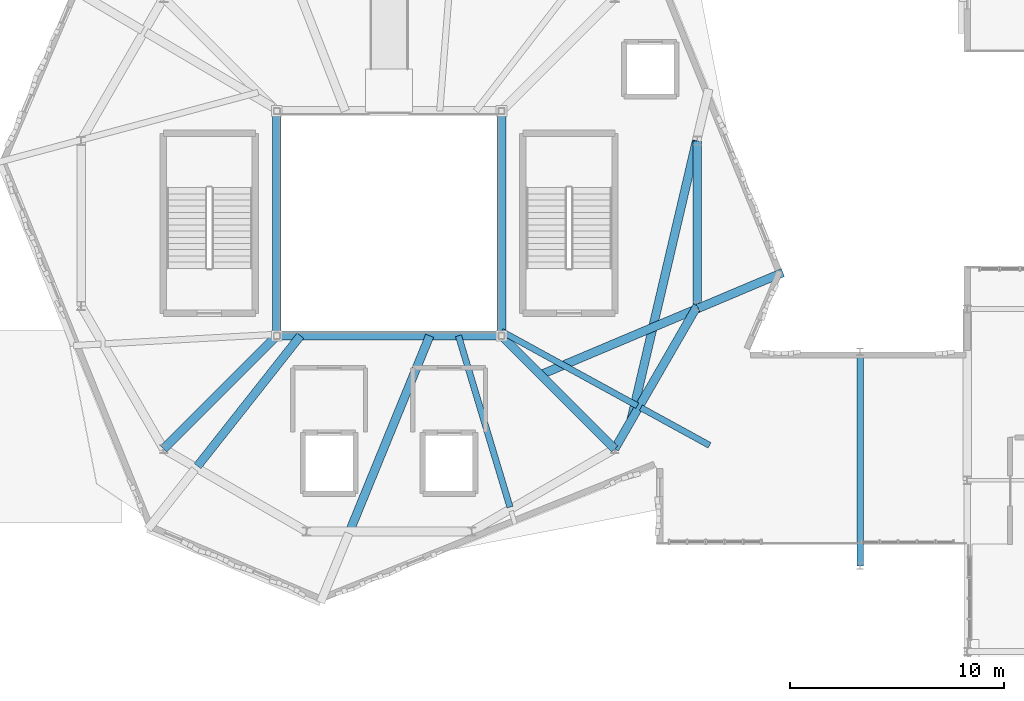
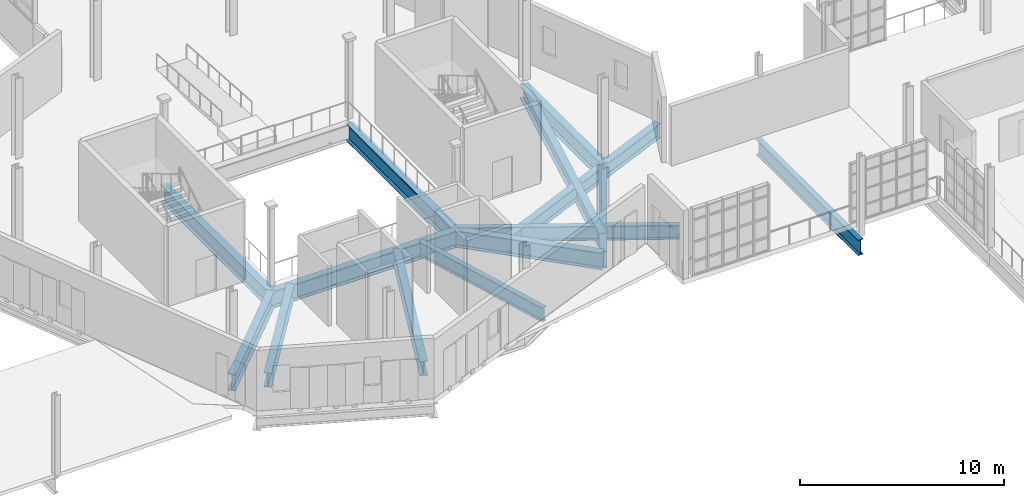
# One storey, part 22 of 122: 16 beams.
"""IFC4 building model written with IfcOpenShell, lengths in metres."""

import ifcopenshell
import ifcopenshell.guid

model = None  # the IFC model being written
_history = None  # IfcOwnerHistory: only IFC2X3 demands one
_inside = {}  # id of a spatial element -> (the spatial element, [elements in it])
_under = {}  # id of a project, library or spatial element -> (it, [spatial elements below it])
_declared = {}  # id of a project -> (the project, [libraries it declares])
_typed = {}  # id of a type object -> (the type object, [elements of that type])
_made_of = {}  # id of a material, layer set ... -> (it, [elements and type objects made of it])


def new_model(schema):
    """Start an empty IFC model of exactly this schema.

    Asked for "IFC4X3", IfcOpenShell would pick the latest addendum, in which some entities
    have other attributes; the version numbers below select the first issue.
    IFC2X3 requires an IfcOwnerHistory on every rooted entity: one is made here for all.
    """
    global model, _history
    if schema == "IFC4X3":
        model = ifcopenshell.file(schema_version=(4, 3, 0, 0))
    else:
        model = ifcopenshell.file(schema=schema)
    _inside.clear()
    _under.clear()
    _declared.clear()
    _typed.clear()
    _made_of.clear()
    _history = None
    if model.schema == "IFC2X3":
        org = make("IfcOrganization", Name="unknown")
        user = make(
            "IfcPersonAndOrganization",
            ThePerson=make("IfcPerson", FamilyName="unknown"),
            TheOrganization=org,
        )
        app = make(
            "IfcApplication",
            ApplicationDeveloper=org,
            Version="unknown",
            ApplicationFullName="unknown",
            ApplicationIdentifier="unknown",
        )
        _history = make(
            "IfcOwnerHistory",
            OwningUser=user,
            OwningApplication=app,
            ChangeAction="ADDED",
            CreationDate=0,
        )
    return model


def make(cls, **values):
    """One entity of the class cls with the attributes given. An attribute that is None is left unset."""
    return model.create_entity(
        cls, **{name: value for name, value in values.items() if value is not None}
    )


def rooted(cls, **values):
    """An entity with a GlobalId (a new one), such as an element, a storey or a relation."""
    return make(cls, GlobalId=ifcopenshell.guid.new(), OwnerHistory=_history, **values)


def si_unit(unit_type, name, prefix=None):
    """IfcSIUnit, for example si_unit("LENGTHUNIT", "METRE", prefix="MILLI")."""
    return make("IfcSIUnit", UnitType=unit_type, Prefix=prefix, Name=name)


def assignment(units):
    """IfcUnitAssignment: the units of a project."""
    return None if units is None else make("IfcUnitAssignment", Units=units)


def point(xyz):
    """IfcCartesianPoint."""
    return None if xyz is None else make("IfcCartesianPoint", Coordinates=xyz)


def direction(xyz):
    """IfcDirection."""
    return None if xyz is None else make("IfcDirection", DirectionRatios=xyz)


def frame(location, z_axis=None, x_axis=None):
    """IfcAxis2Placement3D, a coordinate frame: its origin and axes. An axis left out is left unset."""
    return make(
        "IfcAxis2Placement3D",
        Location=point(location),
        Axis=direction(z_axis),
        RefDirection=direction(x_axis),
    )


def frame_2d(location, x_axis=None):
    """IfcAxis2Placement2D, a coordinate frame in the plane: its origin and x axis."""
    return make(
        "IfcAxis2Placement2D", Location=point(location), RefDirection=direction(x_axis)
    )


def origin():
    """The frame at (0, 0, 0) with its axes left unset."""
    return frame((0.0, 0.0, 0.0))


def origin_2d():
    """The frame at (0, 0) in the plane with its x axis left unset."""
    return frame_2d((0.0, 0.0))


def place(relative_to, where):
    """IfcLocalPlacement: puts the frame where relative to a parent placement (None: the world)."""
    return make(
        "IfcLocalPlacement", PlacementRelTo=relative_to, RelativePlacement=where
    )


def context(
    kind, dimensions, precision=None, world=None, true_north=None, identifier=None
):
    """IfcGeometricRepresentationContext, for example the 3D "Model" context."""
    return make(
        "IfcGeometricRepresentationContext",
        ContextIdentifier=identifier,
        ContextType=kind,
        CoordinateSpaceDimension=dimensions,
        Precision=precision,
        WorldCoordinateSystem=world,
        TrueNorth=true_north,
    )


def subcontext(parent, identifier, kind, view, scale=None):
    """IfcGeometricRepresentationSubContext, for example "Body" below "Model"."""
    return make(
        "IfcGeometricRepresentationSubContext",
        ContextIdentifier=identifier,
        ContextType=kind,
        ParentContext=parent,
        TargetScale=scale,
        TargetView=view,
    )


def project(units=None, contexts=None):
    """IfcProject with its units and contexts."""
    return rooted(
        "IfcProject",
        Name="project",
        RepresentationContexts=contexts,
        UnitsInContext=assignment(units),
    )


def spatial(cls, under=None, at=None, **own):
    """A site, building, storey or space (cls), placed at a placement, below another one or the project."""
    s = rooted(cls, ObjectPlacement=at, **own)
    if under is not None:
        _under.setdefault(under.id(), (under, []))[1].append(s)
    return s


def profile(cls, at=None, kind="AREA", **sizes):
    """A parametric profile (cls). Its sizes go by their IFC names, for example OverallWidth=200.0."""
    return make(cls, ProfileType=kind, Position=at, **sizes)


def i_section(**sizes):
    """IfcIShapeProfileDef."""
    return profile("IfcIShapeProfileDef", **sizes)


def extrude(swept, where, along, depth):
    """IfcExtrudedAreaSolid: the profile swept, set in the frame where, extruded along a direction by depth."""
    return make(
        "IfcExtrudedAreaSolid",
        SweptArea=swept,
        Position=where,
        ExtrudedDirection=direction(along),
        Depth=depth,
    )


def shape(context_of_items, identifier, shape_type, items):
    """IfcShapeRepresentation: the items that make up one representation, for example the "Body"."""
    return make(
        "IfcShapeRepresentation",
        ContextOfItems=context_of_items,
        RepresentationIdentifier=identifier,
        RepresentationType=shape_type,
        Items=items,
    )


def material(Name=None, Category=None):
    """IfcMaterial."""
    return make("IfcMaterial", Name=Name, Category=Category)


def material_profile(
    of_material, cross_section, Name=None, Category=None, Priority=None
):
    """IfcMaterialProfile: a cross section and its material."""
    return make(
        "IfcMaterialProfile",
        Name=Name,
        Material=of_material,
        Profile=cross_section,
        Priority=Priority,
        Category=Category,
    )


def profile_set(profiles, Name=None, composite=None):
    """IfcMaterialProfileSet."""
    return make(
        "IfcMaterialProfileSet",
        Name=Name,
        MaterialProfiles=profiles,
        CompositeProfile=composite,
    )


def made_of(thing, what):
    """Note that an element or type object is made of a material, layer set ...; save() writes the relation."""
    if what is not None:
        _made_of.setdefault(what.id(), (what, []))[1].append(thing)
    return thing


def type_object(cls, material=None, **own):
    """A type object (cls), such as IfcWallType, which elements share."""
    return made_of(rooted(cls, **own), material)


def element(
    cls,
    number,
    at=None,
    inside=None,
    cuts=None,
    type_object=None,
    material=None,
    context=None,
    identifier="Body",
    shape_type=None,
    held_by="IfcProductDefinitionShape",
    body=None,
    shapes=None,
    **own,
):
    """One element of the class cls, such as IfcWall. Its Tag is "e" and its number.

    at: its placement. inside: the storey or other place that contains it. cuts: it is an
    opening in that element (IfcRelVoidsElement). A single representation is given by context,
    identifier, shape_type and body (its items); several are given by shapes. held_by: the class
    of the entity that holds the representations. save() writes the other relations.
    """
    e = rooted(cls, Tag="e%d" % number, ObjectPlacement=at, **own)
    if body is not None:
        shapes = [shape(context, identifier, shape_type, body)]
    if shapes is not None:
        e.Representation = make(held_by, Representations=shapes)
    if inside is not None:
        _inside.setdefault(inside.id(), (inside, []))[1].append(e)
    if cuts is not None:
        rooted(
            "IfcRelVoidsElement", RelatingBuildingElement=cuts, RelatedOpeningElement=e
        )
    if type_object is not None:
        _typed.setdefault(type_object.id(), (type_object, []))[1].append(e)
    return made_of(e, material)


def aggregate(whole, parts):
    """IfcRelAggregates: a whole, such as a stair, and the parts it consists of."""
    return rooted("IfcRelAggregates", RelatingObject=whole, RelatedObjects=parts)


def save(model, path):
    """Write the relations noted so far, then the file.

    IfcRelAggregates (storeys below a building ...), IfcRelContainedInSpatialStructure (elements
    in a storey), IfcRelDefinesByType, IfcRelAssociatesMaterial and IfcRelDeclares: one each for
    every whole, place, type object, material and project.
    """
    for whole, parts in _under.values():
        aggregate(whole, parts)
    for where, things in _inside.values():
        rooted(
            "IfcRelContainedInSpatialStructure",
            RelatedElements=things,
            RelatingStructure=where,
        )
    for kind, things in _typed.values():
        rooted("IfcRelDefinesByType", RelatedObjects=things, RelatingType=kind)
    for what, things in _made_of.values():
        rooted("IfcRelAssociatesMaterial", RelatedObjects=things, RelatingMaterial=what)
    for by, libraries in _declared.values():
        rooted("IfcRelDeclares", RelatingContext=by, RelatedDefinitions=libraries)
    model.write(path)


model = new_model("IFC4")

# Units and contexts
model_context = context("Model", 3, precision=1e-05, world=origin(), true_north=direction((0.0, 1.0)))
body_context = subcontext(model_context, "Body", "Model", "MODEL_VIEW")
ifc_project = project(units=[si_unit("LENGTHUNIT", "METRE"), si_unit("AREAUNIT", "SQUARE_METRE"), si_unit("VOLUMEUNIT", "CUBIC_METRE"), si_unit("PLANEANGLEUNIT", "RADIAN"), si_unit("MASSUNIT", "GRAM", prefix="KILO"), si_unit("THERMODYNAMICTEMPERATUREUNIT", "KELVIN"), si_unit("POWERUNIT", "WATT")], contexts=[model_context])

# Site, building, storey
site_placement = place(None, origin())
site = spatial("IfcSite", under=ifc_project, at=site_placement, CompositionType="ELEMENT")
building_placement = place(site_placement, origin())
building = spatial("IfcBuilding", under=site, at=building_placement, Name="Zelmaris Science Centre", CompositionType="ELEMENT")
storey_placement = place(building_placement, frame((0.0, 0.0, 10.800048828125)))
storey = spatial("IfcBuildingStorey", under=building, at=storey_placement, Name="L02", CompositionType="ELEMENT", Elevation=10.800048828125)

# Beams
ifc_material = material(Name="Steel ASTM A992 Grade 50", Category="steel")
ifc_material_profile_1 = material_profile(ifc_material, i_section(OverallWidth=0.40087890625, OverallDepth=0.85595703125, WebThickness=0.018310546875, FlangeThickness=0.029296875, FilletRadius=0.02001953125, at=origin_2d()), Name="W33X201")
ifc_profile_set_1 = profile_set([ifc_material_profile_1], Name="Steel ASTM A992 Grade 50")
beam_type_1 = type_object("IfcBeamType", Name="Beam G-05 W33X201", PredefinedType="BEAM", material=ifc_profile_set_1)
beam_1_placement = place(storey_placement, frame((88.073974609375, 28.926025390625, -0.72802734375), z_axis=(0.921323479953, 0.388796920367, 0.0), x_axis=(-0.388796920367, 0.921323479953, 0.0)))
element("IfcBeam", 1, at=beam_1_placement, inside=storey, type_object=beam_type_1, Name="L02 Overhang back-span girder 4", PredefinedType="BEAM", context=body_context, shape_type="SweptSolid", body=[
    extrude(i_section(OverallWidth=0.40087890625, OverallDepth=0.85595703125, WebThickness=0.018310546875, FlangeThickness=0.029296875, FilletRadius=0.02001953125, at=origin_2d()), origin(), (0.0, 0.0, 1.0), 7.99365234375),
])
beam_2_placement = place(storey_placement, frame((95.438720703125, 32.033935546875, -0.72802734375), z_axis=(0.921328820684, 0.388784264313, 0.0), x_axis=(-0.388784264313, 0.921328820684, 0.0)))
element("IfcBeam", 2, at=beam_2_placement, inside=storey, type_object=beam_type_1, Name="L02 Radial overhang girder 4", PredefinedType="BEAM", context=body_context, shape_type="SweptSolid", body=[
    extrude(i_section(OverallWidth=0.40087890625, OverallDepth=0.85595703125, WebThickness=0.018310546875, FlangeThickness=0.029296875, FilletRadius=0.02001953125, at=origin_2d()), origin(), (0.0, 0.0, 1.0), 4.29150390625),
])
beam_3_placement = place(storey_placement, frame((76.85546875, 30.75, -0.72802734375), z_axis=(-0.619633068196, -0.7848916236, 0.0), x_axis=(0.7848916236, -0.619633068196, 0.0)))
element("IfcBeam", 3, at=beam_3_placement, inside=storey, type_object=beam_type_1, Name="L02 Overhang back-span girder 12", PredefinedType="BEAM", context=body_context, shape_type="SweptSolid", body=[
    extrude(i_section(OverallWidth=0.40087890625, OverallDepth=0.85595703125, WebThickness=0.018310546875, FlangeThickness=0.029296875, FilletRadius=0.02001953125, at=origin_2d()), origin(), (0.0, 0.0, 1.0), 7.760498046875),
])
ifc_material_profile_2 = material_profile(ifc_material, i_section(OverallWidth=0.294921875, OverallDepth=0.85107421875, WebThickness=0.01611328125, FlangeThickness=0.02685546875, FilletRadius=0.02001953125, at=origin_2d()), Name="W33X152")
ifc_profile_set_2 = profile_set([ifc_material_profile_2], Name="Steel ASTM A992 Grade 50")
beam_type_2 = type_object("IfcBeamType", Name="Beam G-06 W33X152", PredefinedType="BEAM", material=ifc_profile_set_2)
beam_4_placement = place(storey_placement, frame((84.239013671875, 30.75, -0.7255859375), z_axis=(0.287787405847, -0.957694319204, 0.0), x_axis=(0.957694319204, 0.287787405847, 0.0)))
element("IfcBeam", 4, at=beam_4_placement, inside=storey, type_object=beam_type_2, Name="L02 Overhang back-span girder 2", PredefinedType="BEAM", context=body_context, shape_type="SweptSolid", body=[
    extrude(i_section(OverallWidth=0.294921875, OverallDepth=0.85107421875, WebThickness=0.01611328125, FlangeThickness=0.02685546875, FilletRadius=0.02001953125, at=origin_2d()), origin(), (0.0, 0.0, 1.0), 8.35693359375),
])
ifc_material_profile_3 = material_profile(ifc_material, i_section(OverallWidth=0.40087890625, OverallDepth=1.0009765625, WebThickness=0.01904296875, FlangeThickness=0.0361328125, FilletRadius=0.02490234375, at=origin_2d()), Name="W40X249")
ifc_profile_set_3 = profile_set([ifc_material_profile_3], Name="Steel ASTM A992 Grade 50")
beam_type_3 = type_object("IfcBeamType", Name="Beam G-22 W40X249", PredefinedType="BEAM", material=ifc_profile_set_3)
for number, where, z_axis, x_axis, name in (
    (5, (91.535888671875, 25.464111328125, -0.800537109375), (0.500006504531, 0.866021648359, 0.0), (-0.866021648359, 0.500006504531, 0.0), "L02 Exhibition inner ring girder 11"),
    (6, (95.392333984375, 32.1435546875, -0.800537109375), (0.0, 1.0, 0.0), (-1.0, 0.0, 0.0), "L02 Exhibition inner ring girder 12"),
):
    element("IfcBeam", number, at=place(storey_placement, frame(where, z_axis=z_axis, x_axis=x_axis)), inside=storey, type_object=beam_type_3, Name=name, PredefinedType="BEAM", context=body_context, shape_type="SweptSolid", body=[
        extrude(i_section(OverallWidth=0.40087890625, OverallDepth=1.0009765625, WebThickness=0.01904296875, FlangeThickness=0.0361328125, FilletRadius=0.02490234375, at=origin_2d()), origin(), (0.0, 0.0, 1.0), 7.712890625),
    ])
for number, where, z_axis, x_axis, name in (
    (7, (75.75, 30.75, -0.800537109375), (1.0, 0.0, 0.0), (0.0, 1.0, 0.0), "L02 Atrium framing girder 1"),
    (8, (86.25, 30.75, -0.800537109375), (0.0, 1.0, 0.0), (-1.0, 0.0, 0.0), "L02 Atrium framing girder 2"),
    (9, (75.75, 41.25, -0.800537109375), (0.0, -1.0, 0.0), (1.0, 0.0, 0.0), "L02 Atrium framing girder 4"),
):
    element("IfcBeam", number, at=place(storey_placement, frame(where, z_axis=z_axis, x_axis=x_axis)), inside=storey, type_object=beam_type_3, Name=name, PredefinedType="BEAM", context=body_context, shape_type="SweptSolid", body=[
        extrude(i_section(OverallWidth=0.40087890625, OverallDepth=1.0009765625, WebThickness=0.01904296875, FlangeThickness=0.0361328125, FilletRadius=0.02490234375, at=origin_2d()), origin(), (0.0, 0.0, 1.0), 10.5),
    ])
for number, where, z_axis, x_axis, name in (
    (10, (75.75, 30.75, -0.800537109375), (-0.707106781187, -0.707106781187, 0.0), (0.707106781187, -0.707106781187, 0.0), "L02 Atrium diagonal header girder 1"),
    (11, (86.25, 30.75, -0.800537109375), (0.707106781187, -0.707106781187, 0.0), (0.707106781187, 0.707106781187, 0.0), "L02 Atrium diagonal header girder 2"),
):
    element("IfcBeam", number, at=place(storey_placement, frame(where, z_axis=z_axis, x_axis=x_axis)), inside=storey, type_object=beam_type_3, Name=name, PredefinedType="BEAM", context=body_context, shape_type="SweptSolid", body=[
        extrude(i_section(OverallWidth=0.40087890625, OverallDepth=1.0009765625, WebThickness=0.01904296875, FlangeThickness=0.0361328125, FilletRadius=0.02490234375, at=origin_2d()), origin(), (0.0, 0.0, 1.0), 7.475341796875),
    ])
ifc_material_profile_4 = material_profile(ifc_material, i_section(OverallWidth=0.31005859375, OverallDepth=0.931884765625, WebThickness=0.02099609375, FlangeThickness=0.034423828125, FilletRadius=0.02392578125, at=origin_2d()), Name="W36X210")
ifc_profile_set_4 = profile_set([ifc_material_profile_4], Name="Steel ASTM A992 Grade 50")
beam_type_4 = type_object("IfcBeamType", Name="Beam G-25 W36X210", PredefinedType="BEAM", material=ifc_profile_set_4)
beam_5_placement = place(storey_placement, frame((103.0, 20.0, -0.76611328125), z_axis=(0.0, 1.0, 0.0), x_axis=(-1.0, 0.0, 0.0)))
element("IfcBeam", 12, at=beam_5_placement, inside=storey, type_object=beam_type_4, Name="L02 North-south girder 510", PredefinedType="BEAM", context=body_context, shape_type="SweptSolid", body=[
    extrude(i_section(OverallWidth=0.31005859375, OverallDepth=0.931884765625, WebThickness=0.02099609375, FlangeThickness=0.034423828125, FilletRadius=0.02392578125, at=origin_2d()), origin(), (0.0, 0.0, 1.0), 10.0),
])
ifc_material_profile_5 = material_profile(ifc_material, i_section(OverallWidth=0.404052734375, OverallDepth=0.861083984375, WebThickness=0.019775390625, FlangeThickness=0.032470703125, FilletRadius=0.02001953125, at=origin_2d()), Name="W33X221")
ifc_profile_set_5 = profile_set([ifc_material_profile_5], Name="Steel ASTM A992 Grade 50")
beam_type_5 = type_object("IfcBeamType", Name="Beam G-28 W33X221", PredefinedType="BEAM", material=ifc_profile_set_5)
beam_6_placement = place(storey_placement, frame((82.89453125, 30.75, -0.73046875), z_axis=(-0.37882619759, -0.925467834136, 0.0), x_axis=(0.925467834136, -0.37882619759, 0.0)))
element("IfcBeam", 13, at=beam_6_placement, inside=storey, type_object=beam_type_5, Name="L02 Overhang back-span girder 1", PredefinedType="BEAM", context=body_context, shape_type="SweptSolid", body=[
    extrude(i_section(OverallWidth=0.404052734375, OverallDepth=0.861083984375, WebThickness=0.019775390625, FlangeThickness=0.032470703125, FilletRadius=0.02001953125, at=origin_2d()), origin(), (0.0, 0.0, 1.0), 9.78369140625),
])
beam_7_placement = place(storey_placement, frame((92.29638671875, 26.78125, -0.73046875), z_axis=(0.228139920585, 0.973628356528, 0.0), x_axis=(-0.973628356528, 0.228139920585, 0.0)))
element("IfcBeam", 14, at=beam_7_placement, inside=storey, type_object=beam_type_5, Name="L02 Overhang back-span girder 5", PredefinedType="BEAM", context=body_context, shape_type="SweptSolid", body=[
    extrude(i_section(OverallWidth=0.404052734375, OverallDepth=0.861083984375, WebThickness=0.019775390625, FlangeThickness=0.032470703125, FilletRadius=0.02001953125, at=origin_2d()), origin(), (0.0, 0.0, 1.0), 13.4365234375),
])
ifc_material_profile_6 = material_profile(ifc_material, i_section(OverallWidth=0.2919921875, OverallDepth=0.85888671875, WebThickness=0.01708984375, FlangeThickness=0.031005859375, FilletRadius=0.02001953125, at=origin_2d()), Name="W33X169")
ifc_profile_set_6 = profile_set([ifc_material_profile_6], Name="Steel ASTM A992 Grade 50")
beam_type_6 = type_object("IfcBeamType", Name="Beam G-29 W33X169", PredefinedType="BEAM", material=ifc_profile_set_6)
beam_8_placement = place(storey_placement, frame((86.25, 30.9541015625, -0.7294921875), z_axis=(0.877028175085, -0.480438945244, 0.0), x_axis=(0.480438945244, 0.877028175085, 0.0)))
element("IfcBeam", 15, at=beam_8_placement, inside=storey, type_object=beam_type_6, Name="L02 Overhang back-span girder 3", PredefinedType="BEAM", context=body_context, shape_type="SweptSolid", body=[
    extrude(i_section(OverallWidth=0.2919921875, OverallDepth=0.85888671875, WebThickness=0.01708984375, FlangeThickness=0.031005859375, FilletRadius=0.02001953125, at=origin_2d()), origin(), (0.0, 0.0, 1.0), 7.229736328125),
])
beam_9_placement = place(storey_placement, frame((92.757080078125, 27.3896484375, -0.7294921875), z_axis=(0.877027338462, -0.480440472473, 0.0), x_axis=(0.480440472473, 0.877027338462, 0.0)))
element("IfcBeam", 16, at=beam_9_placement, inside=storey, type_object=beam_type_6, Name="L02 Radial overhang girder 3", PredefinedType="BEAM", context=body_context, shape_type="SweptSolid", body=[
    extrude(i_section(OverallWidth=0.2919921875, OverallDepth=0.85888671875, WebThickness=0.01708984375, FlangeThickness=0.031005859375, FilletRadius=0.02001953125, at=origin_2d()), origin(), (0.0, 0.0, 1.0), 3.65966796875),
])

save(model, "model.ifc")
